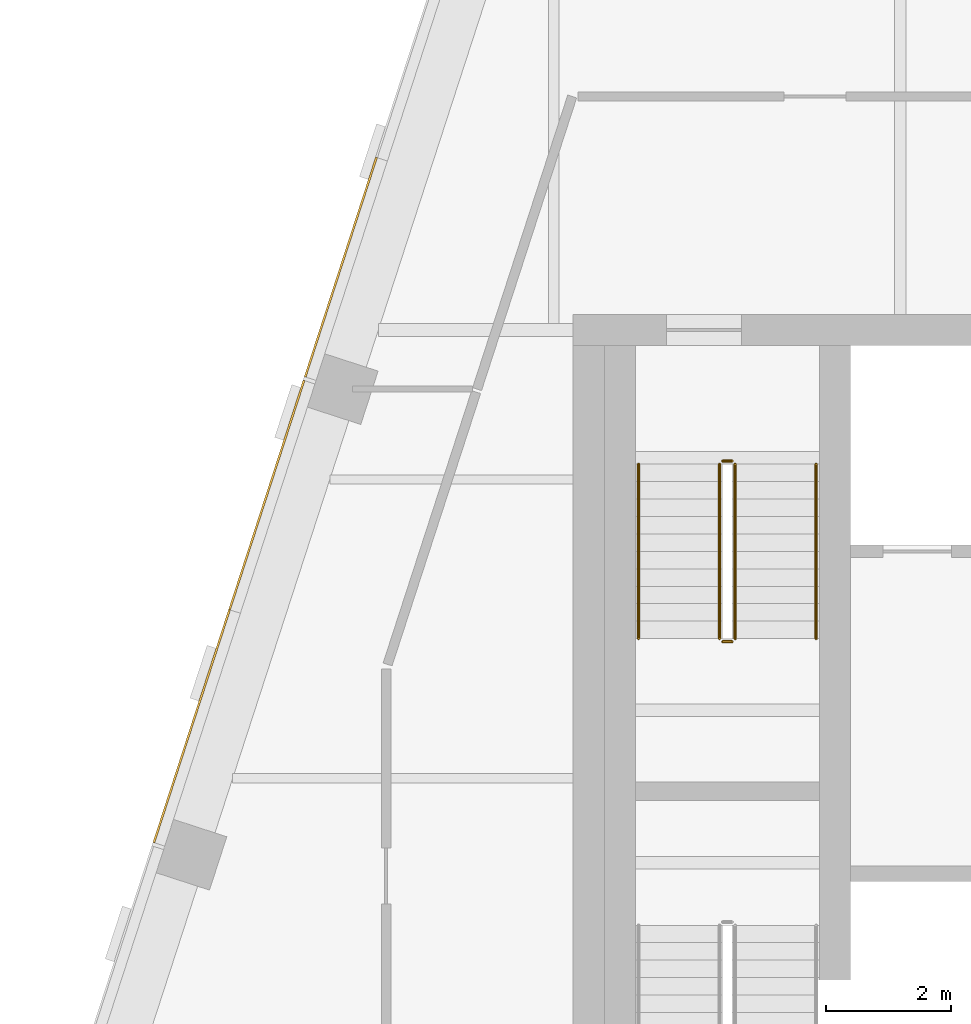
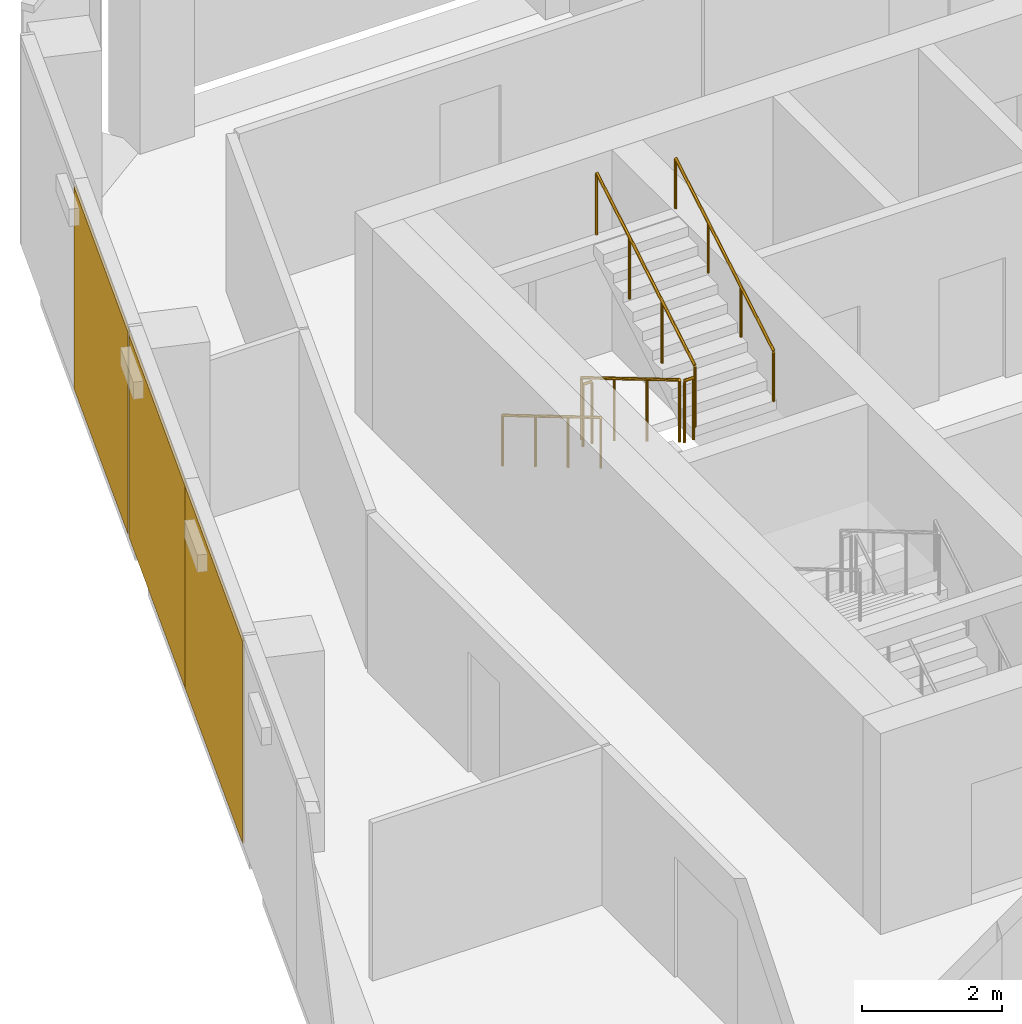
# One storey, part 14 of 15: 6 railings, 3 coverings, 1 element without a shape of its own.
"""IFC4 building model written with IfcOpenShell, lengths in metres."""

from ifc_helpers import new_model, si_unit, direction, frame, origin, origin_2d, place, context, subcontext, project, spatial, rectangle, circle, extrude, material, layer, layer_set, type_object, element, aggregate, save


model = new_model("IFC4")

# Units and contexts
model_context = context("Model", 3, precision=1e-05, world=origin(), true_north=direction((0.0, 1.0)))
body_context = subcontext(model_context, "Body", "Model", "MODEL_VIEW")
ifc_project = project(units=[si_unit("LENGTHUNIT", "METRE"), si_unit("AREAUNIT", "SQUARE_METRE"), si_unit("VOLUMEUNIT", "CUBIC_METRE"), si_unit("PLANEANGLEUNIT", "RADIAN"), si_unit("MASSUNIT", "GRAM", prefix="KILO")], contexts=[model_context])

# Site, building, storey
site_placement = place(None, origin())
site = spatial("IfcSite", under=ifc_project, at=site_placement, CompositionType="ELEMENT")
building_placement = place(site_placement, origin())
building = spatial("IfcBuilding", under=site, at=building_placement, Name="Isthmus Gate Tower", CompositionType="ELEMENT")
storey_placement = place(building_placement, frame((0.0, 0.0, 290.14990234375)))
storey = spatial("IfcBuildingStorey", under=building, at=storey_placement, Name="L74", CompositionType="ELEMENT", Elevation=290.14990234375)

# Curtain wall, coverings
ifc_material_1 = material(Name="Aluminium, pale champagne anodised", Category="aluminium")
ifc_layer_1 = layer(ifc_material_1, 0.199951171875)
ifc_layer_set_1 = layer_set([ifc_layer_1], Name="CW-1 UNITISED CURTAIN WALL 200 DEEP")
curtain_wall_type = type_object("IfcCurtainWallType", Name="CW-1 UNITISED CURTAIN WALL 200 DEEP", PredefinedType="NOTDEFINED", material=ifc_layer_set_1)
curtain_wall_placement = place(storey_placement, origin())
curtain_wall = element("IfcCurtainWall", 1, at=curtain_wall_placement, inside=storey, type_object=curtain_wall_type, Name="CW-1 NW L74", PredefinedType="NOTDEFINED")
ifc_material_2 = material(Name="Aluminium composite panel, pale champagne anodised", Category="aluminium")
ifc_layer_2 = layer(ifc_material_2, 0.031982421875)
ifc_layer_set_2 = layer_set([ifc_layer_2], Name="CW-1 PALE METAL PANEL 32")
covering_type = type_object("IfcCoveringType", Name="CW-1 PALE METAL PANEL 32", PredefinedType="CLADDING", material=ifc_layer_set_2)
covering_1_placement = place(storey_placement, frame((-18.727783203125, 15.760498046875, 0.0), z_axis=(0.0, 0.0, 1.0), x_axis=(-0.309016994375, -0.951056516295, 0.0)))
covering_1 = element("IfcCovering", 2, at=covering_1_placement, type_object=covering_type, Name="CW-1 pale metal panel", PredefinedType="CLADDING", context=body_context, shape_type="SweptSolid", body=[
    extrude(rectangle(XDim=3.703369140625, YDim=0.031982421875, at=origin_2d()), origin(), (0.0, 0.0, 1.0), 3.52001953125),
])
covering_2_placement = place(storey_placement, frame((-19.916259765625, 12.10302734375, 0.0), z_axis=(0.0, 0.0, 1.0), x_axis=(-0.309016994375, -0.951056516295, 0.0)))
covering_2 = element("IfcCovering", 3, at=covering_2_placement, type_object=covering_type, Name="CW-1 pale metal panel", PredefinedType="CLADDING", context=body_context, shape_type="SweptSolid", body=[
    extrude(rectangle(XDim=3.868408203125, YDim=0.031982421875, at=origin_2d()), origin(), (0.0, 0.0, 1.0), 3.52001953125),
])
covering_3_placement = place(storey_placement, frame((-21.120849609375, 8.395263671875, 0.0), z_axis=(0.0, 0.0, 1.0), x_axis=(-0.309016994375, -0.951056516295, 0.0)))
covering_3 = element("IfcCovering", 4, at=covering_3_placement, type_object=covering_type, Name="CW-1 pale metal panel", PredefinedType="CLADDING", context=body_context, shape_type="SweptSolid", body=[
    extrude(rectangle(XDim=3.928466796875, YDim=0.031982421875, at=origin_2d()), origin(), (0.0, 0.0, 1.0), 3.52001953125),
])
aggregate(curtain_wall, [covering_1, covering_2, covering_3])

# Railings
ifc_material_3 = material(Name="Stainless steel balustrade", Category="steel")
railing_type_1 = type_object("IfcRailingType", Name="STAIR GUARD 1100", PredefinedType="GUARDRAIL", material=ifc_material_3)
railing_1_placement = place(storey_placement, frame((-12.64990234375, 12.60009765625, 0.166015625)))
element("IfcRailing", 5, at=railing_1_placement, inside=storey, type_object=railing_type_1, Name="L74 ST1 stair guard 1", PredefinedType="GUARDRAIL", context=body_context, shape_type="SweptSolid", body=[
    extrude(circle(Radius=0.02392578125, at=origin_2d()), frame((0.0, 0.0, 1.076171875), z_axis=(0.0, -0.860306154799, 0.50977771628), x_axis=(1.0, 0.0, 0.0)), (0.0, 0.0, 1.0), 3.254638671875),
    extrude(circle(Radius=0.02099609375, at=origin_2d()), origin(), (0.0, 0.0, 1.0), 1.052001953125),
    extrude(circle(Radius=0.02099609375, at=origin_2d()), frame((0.0, -0.933349609375, 0.552978515625)), (0.0, 0.0, 1.0), 1.052001953125),
    extrude(circle(Radius=0.02099609375, at=origin_2d()), frame((0.0, -1.86669921875, 1.106201171875)), (0.0, 0.0, 1.0), 1.052001953125),
    extrude(circle(Radius=0.02099609375, at=origin_2d()), frame((0.0, -2.800048828125, 1.6591796875)), (0.0, 0.0, 1.0), 1.052001953125),
])
railing_2_placement = place(storey_placement, frame((-12.60009765625, 9.75, 1.8251953125)))
element("IfcRailing", 6, at=railing_2_placement, inside=storey, type_object=railing_type_1, Name="L74 ST1 stair guard 2", PredefinedType="GUARDRAIL", context=body_context, shape_type="SweptSolid", body=[
    extrude(circle(Radius=0.02392578125, at=origin_2d()), frame((0.0, 0.0, 1.076171875), z_axis=(1.0, 0.0, 0.0), x_axis=(0.0, 1.0, 0.0)), (0.0, 0.0, 1.0), 0.150146484375),
    extrude(circle(Radius=0.02099609375, at=origin_2d()), origin(), (0.0, 0.0, 1.0), 1.052001953125),
    extrude(circle(Radius=0.02099609375, at=origin_2d()), frame((0.150146484375, 0.0, 0.0)), (0.0, 0.0, 1.0), 1.052001953125),
])
railing_3_placement = place(storey_placement, frame((-12.39990234375, 9.800048828125, 1.990966796875)))
element("IfcRailing", 7, at=railing_3_placement, inside=storey, type_object=railing_type_1, Name="L74 ST1 stair guard 3", PredefinedType="GUARDRAIL", context=body_context, shape_type="SweptSolid", body=[
    extrude(circle(Radius=0.02392578125, at=origin_2d()), frame((0.0, 0.0, 1.076171875), z_axis=(0.0, 0.860306154799, 0.50977771628), x_axis=(-1.0, 0.0, 0.0)), (0.0, 0.0, 1.0), 3.254638671875),
    extrude(circle(Radius=0.02099609375, at=origin_2d()), origin(), (0.0, 0.0, 1.0), 1.052001953125),
    extrude(circle(Radius=0.02099609375, at=origin_2d()), frame((0.0, 0.933349609375, 0.552978515625)), (0.0, 0.0, 1.0), 1.052001953125),
    extrude(circle(Radius=0.02099609375, at=origin_2d()), frame((0.0, 1.86669921875, 1.106201171875)), (0.0, 0.0, 1.0), 1.052001953125),
    extrude(circle(Radius=0.02099609375, at=origin_2d()), frame((0.0, 2.800048828125, 1.6591796875)), (0.0, 0.0, 1.0), 1.052001953125),
])
railing_4_placement = place(storey_placement, frame((-12.60009765625, 12.64990234375, 0.0)))
element("IfcRailing", 8, at=railing_4_placement, inside=storey, type_object=railing_type_1, Name="L74 ST1 stair guard 4", PredefinedType="GUARDRAIL", context=body_context, shape_type="SweptSolid", body=[
    extrude(circle(Radius=0.02392578125, at=origin_2d()), frame((0.0, 0.0, 1.076171875), z_axis=(1.0, 0.0, 0.0), x_axis=(0.0, 1.0, 0.0)), (0.0, 0.0, 1.0), 0.150146484375),
    extrude(circle(Radius=0.02099609375, at=origin_2d()), origin(), (0.0, 0.0, 1.0), 1.052001953125),
    extrude(circle(Radius=0.02099609375, at=origin_2d()), frame((0.150146484375, 0.0, 0.0)), (0.0, 0.0, 1.0), 1.052001953125),
])
ifc_material_4 = material(Name="Stainless steel handrail", Category="steel")
railing_type_2 = type_object("IfcRailingType", Name="STAIR HANDRAIL 900", PredefinedType="HANDRAIL", material=ifc_material_4)
railing_5_placement = place(storey_placement, frame((-13.949951171875, 12.60009765625, 0.166015625)))
element("IfcRailing", 9, at=railing_5_placement, inside=storey, type_object=railing_type_2, Name="L74 ST1 stair handrail 1", PredefinedType="HANDRAIL", context=body_context, shape_type="SweptSolid", body=[
    extrude(circle(Radius=0.02392578125, at=origin_2d()), frame((0.0, 0.0, 0.8759765625), z_axis=(0.0, -0.860306154799, 0.50977771628), x_axis=(1.0, 0.0, 0.0)), (0.0, 0.0, 1.0), 3.254638671875),
    extrude(circle(Radius=0.02099609375, at=origin_2d()), origin(), (0.0, 0.0, 1.0), 0.851806640625),
    extrude(circle(Radius=0.02099609375, at=origin_2d()), frame((0.0, -0.933349609375, 0.552978515625)), (0.0, 0.0, 1.0), 0.851806640625),
    extrude(circle(Radius=0.02099609375, at=origin_2d()), frame((0.0, -1.86669921875, 1.106201171875)), (0.0, 0.0, 1.0), 0.851806640625),
    extrude(circle(Radius=0.02099609375, at=origin_2d()), frame((0.0, -2.800048828125, 1.6591796875)), (0.0, 0.0, 1.0), 0.851806640625),
])
railing_6_placement = place(storey_placement, frame((-11.10009765625, 9.800048828125, 1.990966796875)))
element("IfcRailing", 10, at=railing_6_placement, inside=storey, type_object=railing_type_2, Name="L74 ST1 stair handrail 2", PredefinedType="HANDRAIL", context=body_context, shape_type="SweptSolid", body=[
    extrude(circle(Radius=0.02392578125, at=origin_2d()), frame((0.0, 0.0, 0.8759765625), z_axis=(0.0, 0.860306154799, 0.50977771628), x_axis=(-1.0, 0.0, 0.0)), (0.0, 0.0, 1.0), 3.254638671875),
    extrude(circle(Radius=0.02099609375, at=origin_2d()), origin(), (0.0, 0.0, 1.0), 0.851806640625),
    extrude(circle(Radius=0.02099609375, at=origin_2d()), frame((0.0, 0.933349609375, 0.552978515625)), (0.0, 0.0, 1.0), 0.851806640625),
    extrude(circle(Radius=0.02099609375, at=origin_2d()), frame((0.0, 1.86669921875, 1.106201171875)), (0.0, 0.0, 1.0), 0.851806640625),
    extrude(circle(Radius=0.02099609375, at=origin_2d()), frame((0.0, 2.800048828125, 1.6591796875)), (0.0, 0.0, 1.0), 0.851806640625),
])

save(model, "model.ifc")
